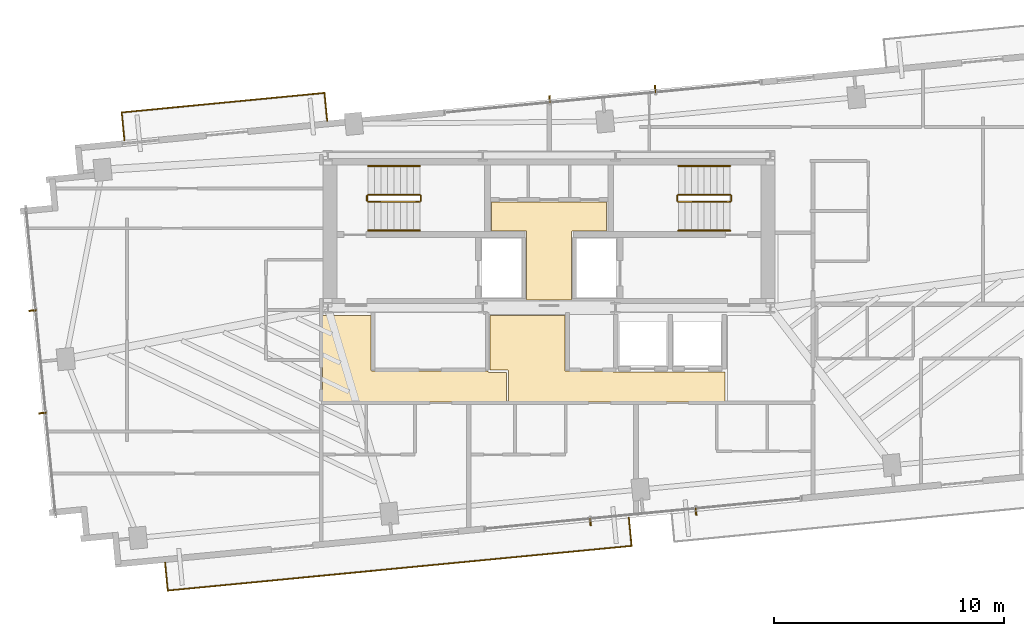
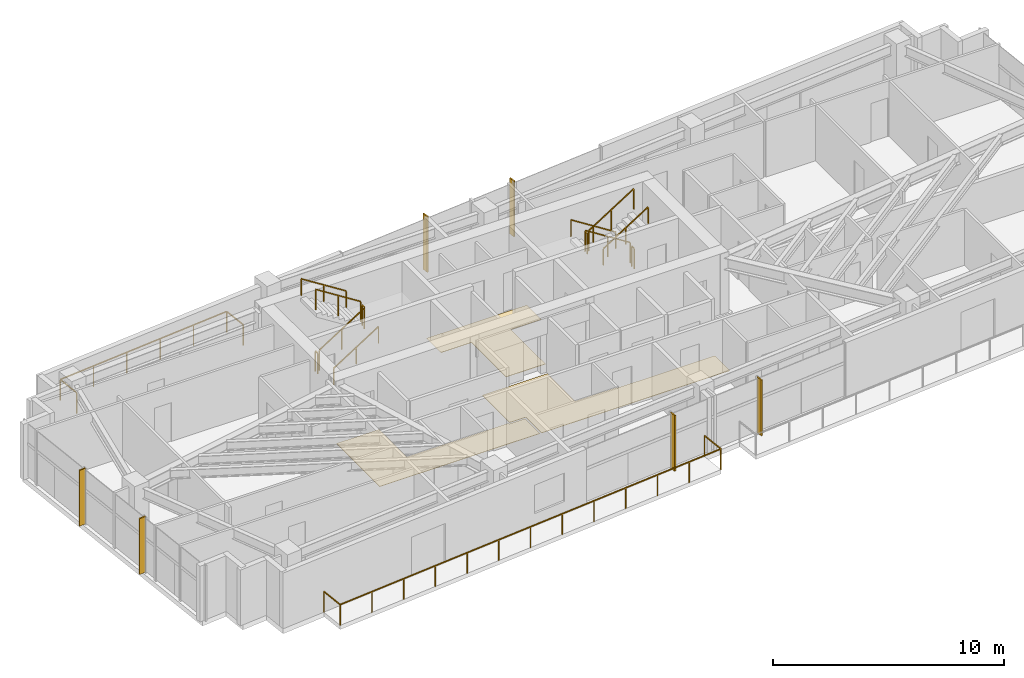
# One storey, part 17 of 18: 14 railings, 6 shading devices, 3 coverings.
"""IFC4 building model written with IfcOpenShell, lengths in metres."""

from ifc_helpers import new_model, si_unit, direction, frame, origin, origin_2d, place, context, subcontext, project, spatial, polyline, rectangle, outline, extrude, source, transform, mapped, material, layer, layer_set, type_object, type_shapes, element, save


model = new_model("IFC4")

# Units and contexts
model_context = context("Model", 3, precision=1e-05, world=origin(), true_north=direction((0.0, 1.0)))
body_context = subcontext(model_context, "Body", "Model", "MODEL_VIEW")
ifc_project = project(units=[si_unit("LENGTHUNIT", "METRE"), si_unit("AREAUNIT", "SQUARE_METRE"), si_unit("VOLUMEUNIT", "CUBIC_METRE"), si_unit("PLANEANGLEUNIT", "RADIAN"), si_unit("MASSUNIT", "GRAM", prefix="KILO")], contexts=[model_context])

# Site, building, storey
site_placement = place(None, origin())
site = spatial("IfcSite", under=ifc_project, at=site_placement, CompositionType="ELEMENT")
building_placement = place(site_placement, origin())
building = spatial("IfcBuilding", under=site, at=building_placement, Name="Astriad Promenade Condominiums", CompositionType="ELEMENT")
storey_placement = place(building_placement, frame((0.0, 0.0, 192.199951171875)))
storey = spatial("IfcBuildingStorey", under=building, at=storey_placement, Name="L55", CompositionType="ELEMENT", Elevation=192.199951171875)

# Coverings
ifc_material_1 = material(Name="Polished Lakefront Terrazzo Flooring")
ifc_layer = layer(ifc_material_1, 0.02001953125)
ifc_layer_set = layer_set([ifc_layer], Name="Polished Lakefront Terrazzo Flooring")
covering_type = type_object("IfcCoveringType", Name="COV-FLOR-TERRAZZO-20", PredefinedType="FLOORING", material=ifc_layer_set)
covering_1_placement = place(storey_placement, origin())
element("IfcCovering", 1, at=covering_1_placement, inside=storey, type_object=covering_type, Name="FLR-L55-CSL", PredefinedType="FLOORING", context=body_context, shape_type="SweptSolid", body=[
    extrude(outline(polyline([(36.97998046875, 20.699951171875), (36.97998046875, 17.739990234375), (35.02001953125, 17.739990234375), (35.02001953125, 20.699951171875), (35.019775390625, 20.703857421875), (35.019287109375, 20.707763671875), (35.018310546875, 20.711669921875), (35.01708984375, 20.71533203125), (35.015380859375, 20.718994140625), (35.01318359375, 20.72216796875), (35.010986328125, 20.725341796875), (35.00830078125, 20.728271484375), (35.00537109375, 20.73095703125), (35.002197265625, 20.7333984375), (34.998779296875, 20.7353515625), (34.995361328125, 20.737060546875), (34.99169921875, 20.73828125), (34.98779296875, 20.7392578125), (34.98388671875, 20.73974609375), (34.97998046875, 20.739990234375), (33.5, 20.739990234375), (33.5, 21.97998046875), (38.5, 21.97998046875), (38.5, 20.739990234375), (37.02001953125, 20.739990234375), (37.01611328125, 20.73974609375), (37.01220703125, 20.7392578125), (37.00830078125, 20.73828125), (37.004638671875, 20.737060546875), (37.001220703125, 20.7353515625), (36.997802734375, 20.7333984375), (36.99462890625, 20.73095703125), (36.99169921875, 20.728271484375), (36.989013671875, 20.725341796875), (36.98681640625, 20.72216796875), (36.984619140625, 20.718994140625), (36.98291015625, 20.71533203125), (36.981689453125, 20.711669921875), (36.980712890625, 20.707763671875), (36.980224609375, 20.703857421875), (36.97998046875, 20.699951171875)])), origin(), (0.0, 0.0, 1.0), 0.02001953125),
])
covering_2_placement = place(storey_placement, origin())
element("IfcCovering", 2, at=covering_2_placement, inside=storey, type_object=covering_type, Name="FLR-L55-LLB", PredefinedType="FLOORING", context=body_context, shape_type="SweptSolid", body=[
    extrude(outline(polyline([(43.639892578125, 14.610107421875), (43.639892578125, 13.320068359375), (34.239990234375, 13.320068359375), (34.239990234375, 14.64990234375), (34.23974609375, 14.65380859375), (34.2392578125, 14.65771484375), (34.23828125, 14.66162109375), (34.237060546875, 14.665283203125), (34.2353515625, 14.6689453125), (34.2333984375, 14.672119140625), (34.23095703125, 14.67529296875), (34.228271484375, 14.67822265625), (34.225341796875, 14.680908203125), (34.22216796875, 14.683349609375), (34.218994140625, 14.685302734375), (34.21533203125, 14.68701171875), (34.211669921875, 14.688232421875), (34.207763671875, 14.689208984375), (34.203857421875, 14.689697265625), (34.199951171875, 14.68994140625), (33.43994140625, 14.68994140625), (33.43994140625, 17.06005859375), (36.679931640625, 17.06005859375), (36.679931640625, 14.699951171875), (36.68017578125, 14.696044921875), (36.680908203125, 14.692138671875), (36.681640625, 14.6884765625), (36.68310546875, 14.684814453125), (36.684814453125, 14.68115234375), (36.686767578125, 14.677734375), (36.689208984375, 14.674560546875), (36.691650390625, 14.671630859375), (36.694580078125, 14.669189453125), (36.69775390625, 14.666748046875), (36.701171875, 14.664794921875), (36.70458984375, 14.6630859375), (36.70849609375, 14.66162109375), (36.712158203125, 14.660888671875), (36.716064453125, 14.66015625), (36.719970703125, 14.659912109375), (38.760009765625, 14.659912109375), (38.760009765625, 14.64990234375), (38.76025390625, 14.64599609375), (38.7607421875, 14.64208984375), (38.76171875, 14.638427734375), (38.762939453125, 14.634765625), (38.7646484375, 14.631103515625), (38.7666015625, 14.627685546875), (38.76904296875, 14.62451171875), (38.771728515625, 14.62158203125), (38.774658203125, 14.619140625), (38.77783203125, 14.61669921875), (38.781005859375, 14.61474609375), (38.78466796875, 14.613037109375), (38.788330078125, 14.61181640625), (38.792236328125, 14.61083984375), (38.796142578125, 14.610107421875), (38.800048828125, 14.610107421875), (43.639892578125, 14.610107421875)])), origin(), (0.0, 0.0, 1.0), 0.02001953125),
])
covering_3_placement = place(storey_placement, origin())
element("IfcCovering", 3, at=covering_3_placement, inside=storey, type_object=covering_type, Name="FLR-L55-COR-1", PredefinedType="FLOORING", context=body_context, shape_type="SweptSolid", body=[
    extrude(outline(polyline([(26.159912109375, 13.320068359375), (26.159912109375, 17.06005859375), (28.280029296875, 17.06005859375), (28.280029296875, 14.699951171875), (28.2802734375, 14.696044921875), (28.28076171875, 14.692138671875), (28.28173828125, 14.6884765625), (28.282958984375, 14.684814453125), (28.28466796875, 14.68115234375), (28.28662109375, 14.677734375), (28.2890625, 14.674560546875), (28.291748046875, 14.671630859375), (28.294677734375, 14.669189453125), (28.2978515625, 14.666748046875), (28.301025390625, 14.664794921875), (28.3046875, 14.6630859375), (28.308349609375, 14.66162109375), (28.312255859375, 14.660888671875), (28.316162109375, 14.66015625), (28.320068359375, 14.659912109375), (33.35009765625, 14.659912109375), (33.35009765625, 14.64892578125), (33.35009765625, 14.64501953125), (33.350830078125, 14.64111328125), (33.35107421875, 14.64013671875), (33.351318359375, 14.639404296875), (33.351318359375, 14.638427734375), (33.352294921875, 14.634521484375), (33.353759765625, 14.630859375), (33.3544921875, 14.629150390625), (33.356201171875, 14.6259765625), (33.356689453125, 14.625), (33.35888671875, 14.62158203125), (33.3603515625, 14.61962890625), (33.36083984375, 14.618896484375), (33.361083984375, 14.61865234375), (33.361328125, 14.618408203125), (33.361572265625, 14.617919921875), (33.36328125, 14.615966796875), (33.365966796875, 14.61328125), (33.367919921875, 14.611572265625), (33.368408203125, 14.611328125), (33.36865234375, 14.611083984375), (33.368896484375, 14.61083984375), (33.36962890625, 14.6103515625), (33.37158203125, 14.60888671875), (33.375, 14.606689453125), (33.3759765625, 14.606201171875), (33.379150390625, 14.6044921875), (33.3798828125, 14.604248046875), (33.380859375, 14.603759765625), (33.384521484375, 14.602294921875), (33.388427734375, 14.601318359375), (33.389404296875, 14.601318359375), (33.39013671875, 14.60107421875), (33.39111328125, 14.600830078125), (33.39501953125, 14.60009765625), (33.39892578125, 14.60009765625), (34.14990234375, 14.60009765625), (34.14990234375, 13.320068359375), (26.159912109375, 13.320068359375)])), origin(), (0.0, 0.0, 1.0), 0.02001953125),
])

# Shading devices
ifc_material_2 = material(Name="Anodised aluminium 6063-T6 Black Fin", Category="aluminium")
shading_device_type = type_object("IfcShadingDeviceType", Name="FIN-BLACK-260", PredefinedType="USERDEFINED", material=ifc_material_2)
shared_shape_1 = source(origin(), body_context, "Body", "SweptSolid", [
    extrude(rectangle(XDim=0.06494140625, YDim=0.320068359375, at=origin_2d()), origin(), (0.0, 0.0, 1.0), 2.93994140625),
])
type_shapes(shading_device_type, [shared_shape_1])
for number, where, z_axis, x_axis, name in (
    (4, (14.021484375, 12.83203125, 0.0), (0.0, 0.0, 1.0), (-0.09584575252, 0.995396198367, 0.0), "CW-L55-W-FIN-01"),
    (5, (13.59326171875, 17.278076171875, 0.0), (0.0, 0.0, 1.0), (-0.09584575252, 0.995396198367, 0.0), "CW-L55-W-FIN-02"),
    (6, (36.02783203125, 26.447265625, 0.0), (0.0, 0.0, 1.0), (0.995396198367, 0.09584575252, 0.0), "CW-L55-N-FIN-01"),
    (7, (40.606689453125, 26.88818359375, 0.0), (0.0, 0.0, 1.0), (0.995396198367, 0.09584575252, 0.0), "CW-L55-N-FIN-02"),
    (8, (42.3720703125, 8.552734375, 0.0), (0.0, 0.0, 1.0), (-0.995396198367, -0.09584575252, 0.0), "CW-L55-S-FIN-01"),
    (9, (37.793212890625, 8.11181640625, 0.0), (0.0, 0.0, 1.0), (-0.995396198367, -0.09584575252, 0.0), "CW-L55-S-FIN-02"),
):
    element("IfcShadingDevice", number, at=place(storey_placement, frame(where, z_axis=z_axis, x_axis=x_axis)), inside=storey, type_object=shading_device_type, Name=name, ObjectType="FIN", PredefinedType="USERDEFINED", context=body_context, shape_type="MappedRepresentation", body=[
        mapped(shared_shape_1, transform((0.0, 0.0, 0.0), scale=1.0)),
    ])

# Railings
ifc_material_3 = material(Name="Laminated Glass and Stainless Steel Balustrade", Category="steel")
railing_type_1 = type_object("IfcRailingType", Name="GRD-BALC-1120", PredefinedType="BALUSTRADE", material=ifc_material_3)
shared_shape_2 = source(origin(), body_context, "Body", "SweptSolid", [
    extrude(rectangle(XDim=0.048095703125, YDim=0.048095703125, at=origin_2d()), frame((0.0, 0.0, 1.09619140625), z_axis=(0.096055582315, -0.995375971734, 0.0), x_axis=(0.995375971734, 0.096055582315, 0.0)), (0.0, 0.0, 1.0), 1.219970703125),
    extrude(rectangle(XDim=0.048095703125, YDim=0.048095703125, at=origin_2d()), frame((0.1171875, -1.21435546875, 1.09619140625), z_axis=(0.995395544165, 0.095852546426, 0.0), x_axis=(-0.095852546426, 0.995395544165, 0.0)), (0.0, 0.0, 1.0), 20.2158203125),
    extrude(rectangle(XDim=0.048095703125, YDim=0.048095703125, at=origin_2d()), frame((20.239990234375, 0.723388671875, 1.09619140625), z_axis=(-0.095857307208, 0.99539508571, 0.0), x_axis=(-0.99539508571, -0.095857307208, 0.0)), (0.0, 0.0, 1.0), 1.219970703125),
    extrude(rectangle(XDim=0.0419921875, YDim=0.0419921875, at=origin_2d()), origin(), (0.0, 0.0, 1.0), 1.072021484375),
    extrude(rectangle(XDim=0.0419921875, YDim=0.0419921875, at=origin_2d()), frame((0.1171875, -1.21435546875, 0.0)), (0.0, 0.0, 1.0), 1.072021484375),
    extrude(rectangle(XDim=0.0419921875, YDim=0.0419921875, at=origin_2d()), frame((1.794189453125, -1.052978515625, 0.0)), (0.0, 0.0, 1.0), 1.072021484375),
    extrude(rectangle(XDim=0.0419921875, YDim=0.0419921875, at=origin_2d()), frame((3.470947265625, -0.891357421875, 0.0)), (0.0, 0.0, 1.0), 1.072021484375),
    extrude(rectangle(XDim=0.0419921875, YDim=0.0419921875, at=origin_2d()), frame((5.14794921875, -0.72998046875, 0.0)), (0.0, 0.0, 1.0), 1.072021484375),
    extrude(rectangle(XDim=0.0419921875, YDim=0.0419921875, at=origin_2d()), frame((6.82470703125, -0.568359375, 0.0)), (0.0, 0.0, 1.0), 1.072021484375),
    extrude(rectangle(XDim=0.0419921875, YDim=0.0419921875, at=origin_2d()), frame((8.501708984375, -0.406982421875, 0.0)), (0.0, 0.0, 1.0), 1.072021484375),
    extrude(rectangle(XDim=0.0419921875, YDim=0.0419921875, at=origin_2d()), frame((10.1787109375, -0.24560546875, 0.0)), (0.0, 0.0, 1.0), 1.072021484375),
    extrude(rectangle(XDim=0.0419921875, YDim=0.0419921875, at=origin_2d()), frame((11.85546875, -0.083984375, 0.0)), (0.0, 0.0, 1.0), 1.072021484375),
    extrude(rectangle(XDim=0.0419921875, YDim=0.0419921875, at=origin_2d()), frame((13.532470703125, 0.077392578125, 0.0)), (0.0, 0.0, 1.0), 1.072021484375),
    extrude(rectangle(XDim=0.0419921875, YDim=0.0419921875, at=origin_2d()), frame((15.209228515625, 0.239013671875, 0.0)), (0.0, 0.0, 1.0), 1.072021484375),
    extrude(rectangle(XDim=0.0419921875, YDim=0.0419921875, at=origin_2d()), frame((16.88623046875, 0.400390625, 0.0)), (0.0, 0.0, 1.0), 1.072021484375),
    extrude(rectangle(XDim=0.0419921875, YDim=0.0419921875, at=origin_2d()), frame((18.56298828125, 0.56201171875, 0.0)), (0.0, 0.0, 1.0), 1.072021484375),
    extrude(rectangle(XDim=0.0419921875, YDim=0.0419921875, at=origin_2d()), frame((20.239990234375, 0.723388671875, 0.0)), (0.0, 0.0, 1.0), 1.072021484375),
    extrude(rectangle(XDim=0.0419921875, YDim=0.0419921875, at=origin_2d()), frame((20.123046875, 1.937744140625, 0.0)), (0.0, 0.0, 1.0), 1.072021484375),
])
railing_1_placement = place(storey_placement, frame((19.338623046875, 6.344970703125, 0.0)))
element("IfcRailing", 10, at=railing_1_placement, inside=storey, type_object=railing_type_1, Name="GRD-BALC-L55-SW", PredefinedType="BALUSTRADE", context=body_context, shape_type="MappedRepresentation", body=[
    mapped(shared_shape_2, transform((0.0, 0.0, 0.0), scale=1.0)),
])
shared_shape_3 = source(origin(), body_context, "Body", "SweptSolid", [
    extrude(rectangle(XDim=0.048095703125, YDim=0.048095703125, at=origin_2d()), frame((0.0, 0.0, 1.09619140625), z_axis=(-0.095857307208, 0.99539508571, 0.0), x_axis=(-0.99539508571, -0.095857307208, 0.0)), (0.0, 0.0, 1.0), 1.219970703125),
    extrude(rectangle(XDim=0.048095703125, YDim=0.048095703125, at=origin_2d()), frame((-0.116943359375, 1.21435546875, 1.09619140625), z_axis=(-0.995396368909, -0.095843981356, 0.0), x_axis=(0.095843981356, -0.995396368909, 0.0)), (0.0, 0.0, 1.0), 8.839111328125),
    extrude(rectangle(XDim=0.048095703125, YDim=0.048095703125, at=origin_2d()), frame((-8.915283203125, 0.3671875, 1.09619140625), z_axis=(0.095857307208, -0.99539508571, 0.0), x_axis=(0.99539508571, 0.095857307208, 0.0)), (0.0, 0.0, 1.0), 1.219970703125),
    extrude(rectangle(XDim=0.0419921875, YDim=0.0419921875, at=origin_2d()), origin(), (0.0, 0.0, 1.0), 1.072021484375),
    extrude(rectangle(XDim=0.0419921875, YDim=0.0419921875, at=origin_2d()), frame((-0.116943359375, 1.21435546875, 0.0)), (0.0, 0.0, 1.0), 1.072021484375),
    extrude(rectangle(XDim=0.0419921875, YDim=0.0419921875, at=origin_2d()), frame((-1.876708984375, 1.044921875, 0.0)), (0.0, 0.0, 1.0), 1.072021484375),
    extrude(rectangle(XDim=0.0419921875, YDim=0.0419921875, at=origin_2d()), frame((-3.63623046875, 0.87548828125, 0.0)), (0.0, 0.0, 1.0), 1.072021484375),
    extrude(rectangle(XDim=0.0419921875, YDim=0.0419921875, at=origin_2d()), frame((-5.39599609375, 0.7060546875, 0.0)), (0.0, 0.0, 1.0), 1.072021484375),
    extrude(rectangle(XDim=0.0419921875, YDim=0.0419921875, at=origin_2d()), frame((-7.155517578125, 0.53662109375, 0.0)), (0.0, 0.0, 1.0), 1.072021484375),
    extrude(rectangle(XDim=0.0419921875, YDim=0.0419921875, at=origin_2d()), frame((-8.915283203125, 0.3671875, 0.0)), (0.0, 0.0, 1.0), 1.072021484375),
    extrude(rectangle(XDim=0.0419921875, YDim=0.0419921875, at=origin_2d()), frame((-8.79833984375, -0.84716796875, 0.0)), (0.0, 0.0, 1.0), 1.072021484375),
])
type_shapes(railing_type_1, [shared_shape_2, shared_shape_3])
railing_2_placement = place(storey_placement, frame((26.37353515625, 25.507568359375, 0.0)))
element("IfcRailing", 11, at=railing_2_placement, inside=storey, type_object=railing_type_1, Name="GRD-BALC-L55-NW", PredefinedType="BALUSTRADE", context=body_context, shape_type="MappedRepresentation", body=[
    mapped(shared_shape_3, transform((0.0, 0.0, 0.0), scale=1.0)),
])
ifc_material_4 = material(Name="Painted Galvanised Steel Guardrail", Category="steel")
railing_type_2 = type_object("IfcRailingType", Name="GRD-STAIR-1100", PredefinedType="GUARDRAIL", material=ifc_material_4)
shared_shape_4 = source(origin(), body_context, "Body", "SweptSolid", [
    extrude(rectangle(XDim=0.048095703125, YDim=0.048095703125, at=origin_2d()), frame((0.0, 0.0, 1.076171875), z_axis=(0.0, 1.0, 0.0), x_axis=(-1.0, 0.0, 0.0)), (0.0, 0.0, 1.0), 0.199951171875),
    extrude(rectangle(XDim=0.0419921875, YDim=0.0419921875, at=origin_2d()), origin(), (0.0, 0.0, 1.0), 1.052001953125),
    extrude(rectangle(XDim=0.0419921875, YDim=0.0419921875, at=origin_2d()), frame((0.0, 0.199951171875, 0.0)), (0.0, 0.0, 1.0), 1.052001953125),
])
for number, where, name in (
    (12, (30.43994140625, 22.050048828125, 1.60009765625), "L55 ST-1 stair guard 2"),
    (13, (28.10009765625, 22.050048828125, 0.0), "L55 ST-1 stair guard 4"),
):
    element("IfcRailing", number, at=place(storey_placement, frame(where)), inside=storey, type_object=railing_type_2, Name=name, PredefinedType="GUARDRAIL", context=body_context, shape_type="MappedRepresentation", body=[
        mapped(shared_shape_4, transform((0.0, 0.0, 0.0), scale=1.0)),
    ])
shared_shape_5 = source(origin(), body_context, "Body", "SweptSolid", [
    extrude(rectangle(XDim=0.048095703125, YDim=0.048095703125, at=origin_2d()), frame((0.0, 0.0, 1.076171875), z_axis=(0.84418770128, 0.0, 0.536047689118), x_axis=(0.0, 1.0, 0.0)), (0.0, 0.0, 1.0), 2.6533203125),
    extrude(rectangle(XDim=0.0419921875, YDim=0.0419921875, at=origin_2d()), origin(), (0.0, 0.0, 1.0), 1.052001953125),
    extrude(rectangle(XDim=0.0419921875, YDim=0.0419921875, at=origin_2d()), frame((1.1201171875, 0.0, 0.711181640625)), (0.0, 0.0, 1.0), 1.052001953125),
    extrude(rectangle(XDim=0.0419921875, YDim=0.0419921875, at=origin_2d()), frame((2.239990234375, 0.0, 1.42236328125)), (0.0, 0.0, 1.0), 1.052001953125),
])
railing_3_placement = place(storey_placement, frame((28.14990234375, 22.0, 0.177734375)))
element("IfcRailing", 14, at=railing_3_placement, inside=storey, type_object=railing_type_2, Name="L55 ST-1 stair guard 1", PredefinedType="GUARDRAIL", context=body_context, shape_type="MappedRepresentation", body=[
    mapped(shared_shape_5, transform((0.0, 0.0, 0.0), scale=1.0)),
])
shared_shape_6 = source(origin(), body_context, "Body", "SweptSolid", [
    extrude(rectangle(XDim=0.048095703125, YDim=0.048095703125, at=origin_2d()), frame((0.0, 0.0, 1.076171875), z_axis=(-0.8442293374, 0.0, 0.53598211339), x_axis=(0.0, -1.0, 0.0)), (0.0, 0.0, 1.0), 2.6533203125),
    extrude(rectangle(XDim=0.0419921875, YDim=0.0419921875, at=origin_2d()), origin(), (0.0, 0.0, 1.0), 1.052001953125),
    extrude(rectangle(XDim=0.0419921875, YDim=0.0419921875, at=origin_2d()), frame((-1.1201171875, 0.0, 0.7109375)), (0.0, 0.0, 1.0), 1.052001953125),
    extrude(rectangle(XDim=0.0419921875, YDim=0.0419921875, at=origin_2d()), frame((-2.239990234375, 0.0, 1.422119140625)), (0.0, 0.0, 1.0), 1.052001953125),
])
railing_4_placement = place(storey_placement, frame((30.389892578125, 22.300048828125, 1.77783203125)))
element("IfcRailing", 15, at=railing_4_placement, inside=storey, type_object=railing_type_2, Name="L55 ST-1 stair guard 3", PredefinedType="GUARDRAIL", context=body_context, shape_type="MappedRepresentation", body=[
    mapped(shared_shape_6, transform((0.0, 0.0, 0.0), scale=1.0)),
])
ifc_material_5 = material(Name="Brushed Stainless Steel Handrail", Category="steel")
railing_type_3 = type_object("IfcRailingType", Name="HRL-STAIR-920", PredefinedType="HANDRAIL", material=ifc_material_5)
shared_shape_7 = source(origin(), body_context, "Body", "SweptSolid", [
    extrude(rectangle(XDim=0.048095703125, YDim=0.048095703125, at=origin_2d()), frame((0.0, 0.0, 0.8759765625), z_axis=(0.84418770128, 0.0, 0.536047689118), x_axis=(0.0, 1.0, 0.0)), (0.0, 0.0, 1.0), 2.6533203125),
    extrude(rectangle(XDim=0.0419921875, YDim=0.0419921875, at=origin_2d()), origin(), (0.0, 0.0, 1.0), 0.851806640625),
    extrude(rectangle(XDim=0.0419921875, YDim=0.0419921875, at=origin_2d()), frame((1.1201171875, 0.0, 0.711181640625)), (0.0, 0.0, 1.0), 0.851806640625),
    extrude(rectangle(XDim=0.0419921875, YDim=0.0419921875, at=origin_2d()), frame((2.239990234375, 0.0, 1.42236328125)), (0.0, 0.0, 1.0), 0.851806640625),
])
railing_5_placement = place(storey_placement, frame((28.14990234375, 20.75, 0.177734375)))
element("IfcRailing", 16, at=railing_5_placement, inside=storey, type_object=railing_type_3, Name="L55 ST-1 stair handrail 1", PredefinedType="HANDRAIL", context=body_context, shape_type="MappedRepresentation", body=[
    mapped(shared_shape_7, transform((0.0, 0.0, 0.0), scale=1.0)),
])
shared_shape_8 = source(origin(), body_context, "Body", "SweptSolid", [
    extrude(rectangle(XDim=0.048095703125, YDim=0.048095703125, at=origin_2d()), frame((0.0, 0.0, 0.8759765625), z_axis=(-0.8442293374, 0.0, 0.53598211339), x_axis=(0.0, -1.0, 0.0)), (0.0, 0.0, 1.0), 2.6533203125),
    extrude(rectangle(XDim=0.0419921875, YDim=0.0419921875, at=origin_2d()), origin(), (0.0, 0.0, 1.0), 0.851806640625),
    extrude(rectangle(XDim=0.0419921875, YDim=0.0419921875, at=origin_2d()), frame((-1.1201171875, 0.0, 0.7109375)), (0.0, 0.0, 1.0), 0.851806640625),
    extrude(rectangle(XDim=0.0419921875, YDim=0.0419921875, at=origin_2d()), frame((-2.239990234375, 0.0, 1.422119140625)), (0.0, 0.0, 1.0), 0.851806640625),
])
railing_6_placement = place(storey_placement, frame((30.389892578125, 23.550048828125, 1.77783203125)))
element("IfcRailing", 17, at=railing_6_placement, inside=storey, type_object=railing_type_3, Name="L55 ST-1 stair handrail 2", PredefinedType="HANDRAIL", context=body_context, shape_type="MappedRepresentation", body=[
    mapped(shared_shape_8, transform((0.0, 0.0, 0.0), scale=1.0)),
])
shared_shape_9 = source(origin(), body_context, "Body", "SweptSolid", [
    extrude(rectangle(XDim=0.048095703125, YDim=0.048095703125, at=origin_2d()), frame((0.0, 0.0, 1.076171875), z_axis=(0.8442293374, 0.0, 0.53598211339), x_axis=(0.0, 1.0, 0.0)), (0.0, 0.0, 1.0), 2.6533203125),
    extrude(rectangle(XDim=0.0419921875, YDim=0.0419921875, at=origin_2d()), origin(), (0.0, 0.0, 1.0), 1.052001953125),
    extrude(rectangle(XDim=0.0419921875, YDim=0.0419921875, at=origin_2d()), frame((1.1201171875, 0.0, 0.7109375)), (0.0, 0.0, 1.0), 1.052001953125),
    extrude(rectangle(XDim=0.0419921875, YDim=0.0419921875, at=origin_2d()), frame((2.239990234375, 0.0, 1.422119140625)), (0.0, 0.0, 1.0), 1.052001953125),
])
railing_7_placement = place(storey_placement, frame((41.610107421875, 22.0, 1.77783203125)))
element("IfcRailing", 18, at=railing_7_placement, inside=storey, type_object=railing_type_2, Name="L55 ST-2 stair guard 3", PredefinedType="GUARDRAIL", context=body_context, shape_type="MappedRepresentation", body=[
    mapped(shared_shape_9, transform((0.0, 0.0, 0.0), scale=1.0)),
])
shared_shape_10 = source(origin(), body_context, "Body", "SweptSolid", [
    extrude(rectangle(XDim=0.048095703125, YDim=0.048095703125, at=origin_2d()), frame((0.0, 0.0, 1.076171875), z_axis=(-0.84418770128, 0.0, 0.536047689118), x_axis=(0.0, -1.0, 0.0)), (0.0, 0.0, 1.0), 2.6533203125),
    extrude(rectangle(XDim=0.0419921875, YDim=0.0419921875, at=origin_2d()), origin(), (0.0, 0.0, 1.0), 1.052001953125),
    extrude(rectangle(XDim=0.0419921875, YDim=0.0419921875, at=origin_2d()), frame((-1.1201171875, 0.0, 0.711181640625)), (0.0, 0.0, 1.0), 1.052001953125),
    extrude(rectangle(XDim=0.0419921875, YDim=0.0419921875, at=origin_2d()), frame((-2.239990234375, 0.0, 1.42236328125)), (0.0, 0.0, 1.0), 1.052001953125),
])
railing_8_placement = place(storey_placement, frame((43.85009765625, 22.300048828125, 0.177734375)))
element("IfcRailing", 19, at=railing_8_placement, inside=storey, type_object=railing_type_2, Name="L55 ST-2 stair guard 1", PredefinedType="GUARDRAIL", context=body_context, shape_type="MappedRepresentation", body=[
    mapped(shared_shape_10, transform((0.0, 0.0, 0.0), scale=1.0)),
])
shared_shape_11 = source(origin(), body_context, "Body", "SweptSolid", [
    extrude(rectangle(XDim=0.048095703125, YDim=0.048095703125, at=origin_2d()), frame((0.0, 0.0, 0.8759765625), z_axis=(0.8442293374, 0.0, 0.53598211339), x_axis=(0.0, 1.0, 0.0)), (0.0, 0.0, 1.0), 2.6533203125),
    extrude(rectangle(XDim=0.0419921875, YDim=0.0419921875, at=origin_2d()), origin(), (0.0, 0.0, 1.0), 0.851806640625),
    extrude(rectangle(XDim=0.0419921875, YDim=0.0419921875, at=origin_2d()), frame((1.1201171875, 0.0, 0.7109375)), (0.0, 0.0, 1.0), 0.851806640625),
    extrude(rectangle(XDim=0.0419921875, YDim=0.0419921875, at=origin_2d()), frame((2.239990234375, 0.0, 1.422119140625)), (0.0, 0.0, 1.0), 0.851806640625),
])
railing_9_placement = place(storey_placement, frame((41.610107421875, 20.75, 1.77783203125)))
element("IfcRailing", 20, at=railing_9_placement, inside=storey, type_object=railing_type_3, Name="L55 ST-2 stair handrail 2", PredefinedType="HANDRAIL", context=body_context, shape_type="MappedRepresentation", body=[
    mapped(shared_shape_11, transform((0.0, 0.0, 0.0), scale=1.0)),
])
shared_shape_12 = source(origin(), body_context, "Body", "SweptSolid", [
    extrude(rectangle(XDim=0.048095703125, YDim=0.048095703125, at=origin_2d()), frame((0.0, 0.0, 0.8759765625), z_axis=(-0.84418770128, 0.0, 0.536047689118), x_axis=(0.0, -1.0, 0.0)), (0.0, 0.0, 1.0), 2.6533203125),
    extrude(rectangle(XDim=0.0419921875, YDim=0.0419921875, at=origin_2d()), origin(), (0.0, 0.0, 1.0), 0.851806640625),
    extrude(rectangle(XDim=0.0419921875, YDim=0.0419921875, at=origin_2d()), frame((-1.1201171875, 0.0, 0.711181640625)), (0.0, 0.0, 1.0), 0.851806640625),
    extrude(rectangle(XDim=0.0419921875, YDim=0.0419921875, at=origin_2d()), frame((-2.239990234375, 0.0, 1.42236328125)), (0.0, 0.0, 1.0), 0.851806640625),
])
type_shapes(railing_type_3, [shared_shape_7, shared_shape_8, shared_shape_11, shared_shape_12])
railing_10_placement = place(storey_placement, frame((43.85009765625, 23.550048828125, 0.177734375)))
element("IfcRailing", 21, at=railing_10_placement, inside=storey, type_object=railing_type_3, Name="L55 ST-2 stair handrail 1", PredefinedType="HANDRAIL", context=body_context, shape_type="MappedRepresentation", body=[
    mapped(shared_shape_12, transform((0.0, 0.0, 0.0), scale=1.0)),
])
shared_shape_13 = source(origin(), body_context, "Body", "SweptSolid", [
    extrude(rectangle(XDim=0.048095703125, YDim=0.048095703125, at=origin_2d()), frame((0.0, 0.0, 1.076171875), z_axis=(0.0, -1.0, 0.0), x_axis=(1.0, 0.0, 0.0)), (0.0, 0.0, 1.0), 0.199951171875),
    extrude(rectangle(XDim=0.0419921875, YDim=0.0419921875, at=origin_2d()), origin(), (0.0, 0.0, 1.0), 1.052001953125),
    extrude(rectangle(XDim=0.0419921875, YDim=0.0419921875, at=origin_2d()), frame((0.0, -0.199951171875, 0.0)), (0.0, 0.0, 1.0), 1.052001953125),
])
type_shapes(railing_type_2, [shared_shape_4, shared_shape_5, shared_shape_6, shared_shape_9, shared_shape_10, shared_shape_13])
for number, where, name in (
    (22, (41.56005859375, 22.25, 1.60009765625), "L55 ST-2 stair guard 2"),
    (23, (43.89990234375, 22.25, 0.0), "L55 ST-2 stair guard 4"),
):
    element("IfcRailing", number, at=place(storey_placement, frame(where)), inside=storey, type_object=railing_type_2, Name=name, PredefinedType="GUARDRAIL", context=body_context, shape_type="MappedRepresentation", body=[
        mapped(shared_shape_13, transform((0.0, 0.0, 0.0), scale=1.0)),
    ])

save(model, "model.ifc")
